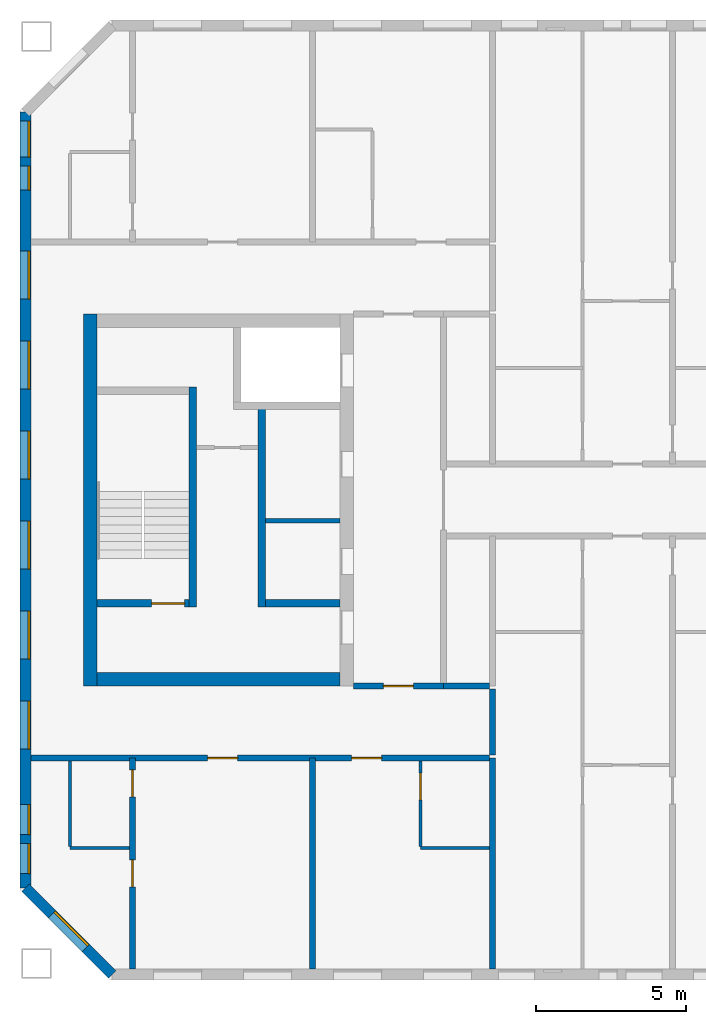
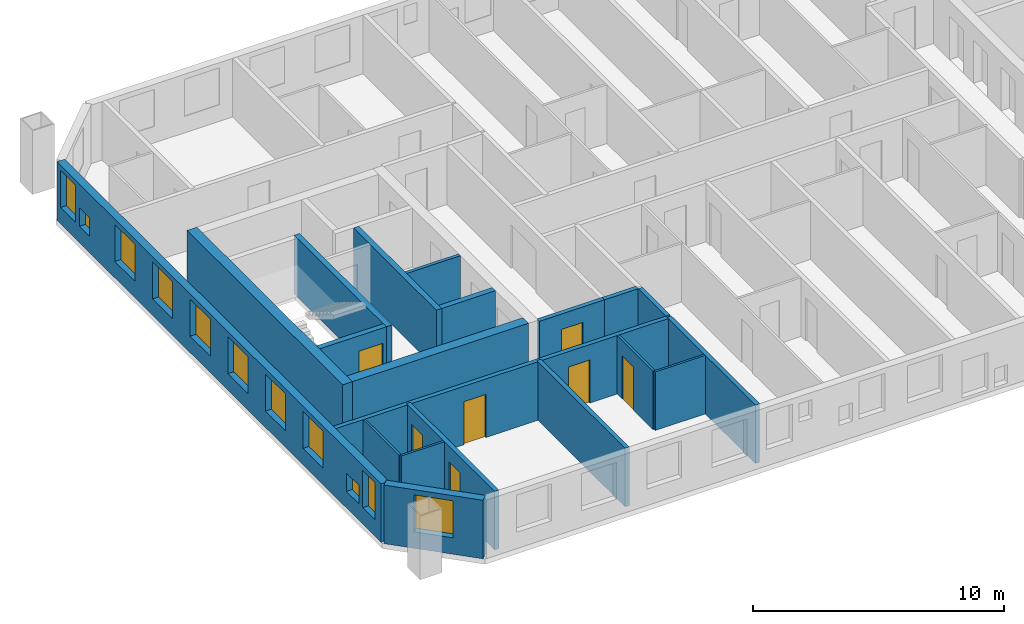
# One storey, part 2 of 15: 20 walls, 11 windows, 7 doors, 18 openings.
"""IFC4 building model written with IfcOpenShell, lengths in metres."""

from ifc_helpers import new_model, si_unit, direction, frame, frame_2d, origin, place, context, subcontext, project, spatial, rectangle, extrude, material, layer, layer_set, type_object, element, fill, save


model = new_model("IFC4")

# Units and contexts
model_context = context("Model", 3, precision=1e-05, world=origin(), true_north=direction((0.0, 1.0)))
body_context = subcontext(model_context, "Body", "Model", "MODEL_VIEW")
ifc_project = project(units=[si_unit("LENGTHUNIT", "METRE"), si_unit("AREAUNIT", "SQUARE_METRE"), si_unit("VOLUMEUNIT", "CUBIC_METRE"), si_unit("PLANEANGLEUNIT", "RADIAN"), si_unit("MASSUNIT", "GRAM", prefix="KILO")], contexts=[model_context])

# Site, building, storey
site_placement = place(None, origin())
site = spatial("IfcSite", under=ifc_project, at=site_placement, CompositionType="ELEMENT")
building_placement = place(site_placement, origin())
building = spatial("IfcBuilding", under=site, at=building_placement, Name="Tuart Gate Housing", CompositionType="ELEMENT")
storey_placement = place(building_placement, frame((0.0, 0.0, 188.199951171875)))
storey = spatial("IfcBuildingStorey", under=building, at=storey_placement, Name="L53", CompositionType="ELEMENT", Elevation=188.199951171875)

# Wall, opening, window
ifc_material_1 = material(Name="Brick", Category="masonry")
ifc_layer_1 = layer(ifc_material_1, 0.360107421875)
ifc_layer_set_1 = layer_set([ifc_layer_1], Name="Brick pier and spandrel wall 360")
wall_type_1 = type_object("IfcWallType", Name="Brick pier and spandrel wall 360", PredefinedType="STANDARD", material=ifc_layer_set_1)
wall_1_placement = place(storey_placement, frame((30.429931640625, 57.07470703125, 0.0), z_axis=(0.0, 0.0, 1.0), x_axis=(0.707106781187, -0.707106781187, 0.0)))
wall_1 = element("IfcWall", 1, at=wall_1_placement, inside=storey, type_object=wall_type_1, Name="External wall A-SW L53", PredefinedType="STANDARD", context=body_context, shape_type="SweptSolid", body=[
    extrude(rectangle(XDim=4.09375, YDim=0.360107421875, at=frame_2d((2.046875, 0.0))), origin(), (0.0, 0.0, 1.0), 2.85009765625),
])
opening_1_placement = place(wall_1_placement, frame((1.2470703125, 0.0, 0.800048828125)))
opening_1 = element("IfcOpeningElement", 2, at=opening_1_placement, cuts=wall_1, Name="Opening W1", PredefinedType="OPENING", context=body_context, shape_type="SweptSolid", body=[
    extrude(rectangle(XDim=1.60009765625, YDim=1.800048828125, at=frame_2d((0.800048828125, 0.89990234375))), frame((0.0, 0.18994140625, 0.0), z_axis=(0.0, -1.0, 0.0), x_axis=(1.0, 0.0, 0.0)), (0.0, 0.0, 1.0), 0.380126953125),
])
ifc_material_2 = material(Name="Aluminium frame with clear glass", Category="aluminium")
window_type_1 = type_object("IfcWindowType", Name="Punched window 1600 x 1800", PartitioningType="SINGLE_PANEL", PredefinedType="WINDOW", material=ifc_material_2)
window_1_placement = place(opening_1_placement, origin())
window_1 = element("IfcWindow", 3, at=window_1_placement, inside=storey, type_object=window_type_1, Name="Window W1", OverallHeight=1.800048828125, OverallWidth=1.60009765625, PartitioningType="SINGLE_PANEL", PredefinedType="WINDOW", context=body_context, shape_type="SweptSolid", body=[
    extrude(rectangle(XDim=1.60009765625, YDim=1.800048828125, at=frame_2d((0.800048828125, 0.89990234375))), frame((0.0, 0.150146484375, 0.0), z_axis=(0.0, -1.0, 0.0), x_axis=(1.0, 0.0, 0.0)), (0.0, 0.0, 1.0), 0.06005859375),
])
fill(opening_1, window_1)

# Wall, openings, windows
wall_2_placement = place(storey_placement, frame((30.429931640625, 82.92529296875, 0.0), z_axis=(0.0, 0.0, 1.0), x_axis=(0.0, -1.0, 0.0)))
wall_2 = element("IfcWall", 4, at=wall_2_placement, inside=storey, type_object=wall_type_1, Name="External wall A-W L53", PredefinedType="STANDARD", context=body_context, shape_type="SweptSolid", body=[
    extrude(rectangle(XDim=25.850830078125, YDim=0.360107421875, at=frame_2d((12.92529296875, 0.0))), origin(), (0.0, 0.0, 1.0), 2.85009765625),
])
opening_2_placement = place(wall_2_placement, frame((0.300048828125, 0.0, 0.800048828125)))
opening_2 = element("IfcOpeningElement", 5, at=opening_2_placement, cuts=wall_2, Name="Opening W1B", PredefinedType="OPENING", context=body_context, shape_type="SweptSolid", body=[
    extrude(rectangle(XDim=1.199951171875, YDim=1.800048828125, at=frame_2d((0.60009765625, 0.89990234375))), frame((0.0, 0.18994140625, 0.0), z_axis=(0.0, -1.0, 0.0), x_axis=(1.0, 0.0, 0.0)), (0.0, 0.0, 1.0), 0.380126953125),
])
opening_3_placement = place(wall_2_placement, frame((4.62548828125, 0.0, 0.800048828125)))
opening_3 = element("IfcOpeningElement", 6, at=opening_3_placement, cuts=wall_2, Name="Opening W1", PredefinedType="OPENING", context=body_context, shape_type="SweptSolid", body=[
    extrude(rectangle(XDim=1.60009765625, YDim=1.800048828125, at=frame_2d((0.800048828125, 0.89990234375))), frame((0.0, 0.18994140625, 0.0), z_axis=(0.0, -1.0, 0.0), x_axis=(1.0, 0.0, 0.0)), (0.0, 0.0, 1.0), 0.380126953125),
])
opening_4_placement = place(wall_2_placement, frame((7.62548828125, 0.0, 0.800048828125)))
opening_4 = element("IfcOpeningElement", 7, at=opening_4_placement, cuts=wall_2, Name="Opening W1", PredefinedType="OPENING", context=body_context, shape_type="SweptSolid", body=[
    extrude(rectangle(XDim=1.60009765625, YDim=1.800048828125, at=frame_2d((0.800048828125, 0.89990234375))), frame((0.0, 0.18994140625, 0.0), z_axis=(0.0, -1.0, 0.0), x_axis=(1.0, 0.0, 0.0)), (0.0, 0.0, 1.0), 0.380126953125),
])
opening_5_placement = place(wall_2_placement, frame((10.62548828125, 0.0, 0.800048828125)))
opening_5 = element("IfcOpeningElement", 8, at=opening_5_placement, cuts=wall_2, Name="Opening W1", PredefinedType="OPENING", context=body_context, shape_type="SweptSolid", body=[
    extrude(rectangle(XDim=1.60009765625, YDim=1.800048828125, at=frame_2d((0.800048828125, 0.89990234375))), frame((0.0, 0.18994140625, 0.0), z_axis=(0.0, -1.0, 0.0), x_axis=(1.0, 0.0, 0.0)), (0.0, 0.0, 1.0), 0.380126953125),
])
opening_6_placement = place(wall_2_placement, frame((13.62548828125, 0.0, 0.800048828125)))
opening_6 = element("IfcOpeningElement", 9, at=opening_6_placement, cuts=wall_2, Name="Opening W1", PredefinedType="OPENING", context=body_context, shape_type="SweptSolid", body=[
    extrude(rectangle(XDim=1.60009765625, YDim=1.800048828125, at=frame_2d((0.800048828125, 0.89990234375))), frame((0.0, 0.18994140625, 0.0), z_axis=(0.0, -1.0, 0.0), x_axis=(1.0, 0.0, 0.0)), (0.0, 0.0, 1.0), 0.380126953125),
])
opening_7_placement = place(wall_2_placement, frame((16.62548828125, 0.0, 0.800048828125)))
opening_7 = element("IfcOpeningElement", 10, at=opening_7_placement, cuts=wall_2, Name="Opening W1", PredefinedType="OPENING", context=body_context, shape_type="SweptSolid", body=[
    extrude(rectangle(XDim=1.60009765625, YDim=1.800048828125, at=frame_2d((0.800048828125, 0.89990234375))), frame((0.0, 0.18994140625, 0.0), z_axis=(0.0, -1.0, 0.0), x_axis=(1.0, 0.0, 0.0)), (0.0, 0.0, 1.0), 0.380126953125),
])
opening_8_placement = place(wall_2_placement, frame((19.62548828125, 0.0, 0.800048828125)))
opening_8 = element("IfcOpeningElement", 11, at=opening_8_placement, cuts=wall_2, Name="Opening W1", PredefinedType="OPENING", context=body_context, shape_type="SweptSolid", body=[
    extrude(rectangle(XDim=1.60009765625, YDim=1.800048828125, at=frame_2d((0.800048828125, 0.89990234375))), frame((0.0, 0.18994140625, 0.0), z_axis=(0.0, -1.0, 0.0), x_axis=(1.0, 0.0, 0.0)), (0.0, 0.0, 1.0), 0.380126953125),
])
opening_9_placement = place(wall_2_placement, frame((23.075439453125, 0.0, 0.800048828125)))
opening_9 = element("IfcOpeningElement", 12, at=opening_9_placement, cuts=wall_2, Name="Opening W1U", PredefinedType="OPENING", context=body_context, shape_type="SweptSolid", body=[
    extrude(rectangle(XDim=1.0, YDim=0.89990234375, at=frame_2d((0.5, 0.449951171875))), frame((0.0, 0.18994140625, 0.0), z_axis=(0.0, -1.0, 0.0), x_axis=(1.0, 0.0, 0.0)), (0.0, 0.0, 1.0), 0.380126953125),
])
opening_10_placement = place(wall_2_placement, frame((1.800048828125, 0.0, 0.800048828125)))
opening_10 = element("IfcOpeningElement", 13, at=opening_10_placement, cuts=wall_2, Name="Opening W1V", PredefinedType="OPENING", context=body_context, shape_type="SweptSolid", body=[
    extrude(rectangle(XDim=0.800048828125, YDim=0.89990234375, at=frame_2d((0.39990234375, 0.449951171875))), frame((0.0, 0.18994140625, 0.0), z_axis=(0.0, -1.0, 0.0), x_axis=(1.0, 0.0, 0.0)), (0.0, 0.0, 1.0), 0.380126953125),
])
opening_11_placement = place(wall_2_placement, frame((24.37548828125, 0.0, 0.800048828125)))
opening_11 = element("IfcOpeningElement", 14, at=opening_11_placement, cuts=wall_2, Name="Opening W1C", PredefinedType="OPENING", context=body_context, shape_type="SweptSolid", body=[
    extrude(rectangle(XDim=1.0, YDim=1.800048828125, at=frame_2d((0.5, 0.89990234375))), frame((0.0, 0.18994140625, 0.0), z_axis=(0.0, -1.0, 0.0), x_axis=(1.0, 0.0, 0.0)), (0.0, 0.0, 1.0), 0.380126953125),
])
ifc_material_3 = material(Name="Aluminium frame with clear glass", Category="aluminium")
window_type_2 = type_object("IfcWindowType", Name="Punched window 1000 x 1800", PartitioningType="SINGLE_PANEL", PredefinedType="WINDOW", material=ifc_material_3)
window_2_placement = place(opening_11_placement, origin())
window_2 = element("IfcWindow", 15, at=window_2_placement, inside=storey, type_object=window_type_2, Name="Window W1C", OverallHeight=1.800048828125, OverallWidth=1.0, PartitioningType="SINGLE_PANEL", PredefinedType="WINDOW", context=body_context, shape_type="SweptSolid", body=[
    extrude(rectangle(XDim=1.0, YDim=1.800048828125, at=frame_2d((0.5, 0.89990234375))), frame((0.0, 0.150146484375, 0.0), z_axis=(0.0, -1.0, 0.0), x_axis=(1.0, 0.0, 0.0)), (0.0, 0.0, 1.0), 0.06005859375),
])
fill(opening_11, window_2)
ifc_material_4 = material(Name="Aluminium frame with clear glass", Category="aluminium")
window_type_3 = type_object("IfcWindowType", Name="Punched window 1000 x 900", PartitioningType="SINGLE_PANEL", PredefinedType="WINDOW", material=ifc_material_4)
window_3_placement = place(opening_9_placement, origin())
window_3 = element("IfcWindow", 16, at=window_3_placement, inside=storey, type_object=window_type_3, Name="Window W1U", OverallHeight=0.89990234375, OverallWidth=1.0, PartitioningType="SINGLE_PANEL", PredefinedType="WINDOW", context=body_context, shape_type="SweptSolid", body=[
    extrude(rectangle(XDim=1.0, YDim=0.89990234375, at=frame_2d((0.5, 0.449951171875))), frame((0.0, 0.150146484375, 0.0), z_axis=(0.0, -1.0, 0.0), x_axis=(1.0, 0.0, 0.0)), (0.0, 0.0, 1.0), 0.06005859375),
])
fill(opening_9, window_3)
ifc_material_5 = material(Name="Aluminium frame with clear glass", Category="aluminium")
window_type_4 = type_object("IfcWindowType", Name="Punched window 1200 x 1800", PartitioningType="SINGLE_PANEL", PredefinedType="WINDOW", material=ifc_material_5)
window_4_placement = place(opening_2_placement, origin())
window_4 = element("IfcWindow", 17, at=window_4_placement, inside=storey, type_object=window_type_4, Name="Window W1B", OverallHeight=1.800048828125, OverallWidth=1.199951171875, PartitioningType="SINGLE_PANEL", PredefinedType="WINDOW", context=body_context, shape_type="SweptSolid", body=[
    extrude(rectangle(XDim=1.199951171875, YDim=1.800048828125, at=frame_2d((0.60009765625, 0.89990234375))), frame((0.0, 0.150146484375, 0.0), z_axis=(0.0, -1.0, 0.0), x_axis=(1.0, 0.0, 0.0)), (0.0, 0.0, 1.0), 0.06005859375),
])
fill(opening_2, window_4)
window_5_placement = place(opening_3_placement, origin())
window_5 = element("IfcWindow", 18, at=window_5_placement, inside=storey, type_object=window_type_1, Name="Window W1", OverallHeight=1.800048828125, OverallWidth=1.60009765625, PartitioningType="SINGLE_PANEL", PredefinedType="WINDOW", context=body_context, shape_type="SweptSolid", body=[
    extrude(rectangle(XDim=1.60009765625, YDim=1.800048828125, at=frame_2d((0.800048828125, 0.89990234375))), frame((0.0, 0.150146484375, 0.0), z_axis=(0.0, -1.0, 0.0), x_axis=(1.0, 0.0, 0.0)), (0.0, 0.0, 1.0), 0.06005859375),
])
fill(opening_3, window_5)
window_6_placement = place(opening_4_placement, origin())
window_6 = element("IfcWindow", 19, at=window_6_placement, inside=storey, type_object=window_type_1, Name="Window W1", OverallHeight=1.800048828125, OverallWidth=1.60009765625, PartitioningType="SINGLE_PANEL", PredefinedType="WINDOW", context=body_context, shape_type="SweptSolid", body=[
    extrude(rectangle(XDim=1.60009765625, YDim=1.800048828125, at=frame_2d((0.800048828125, 0.89990234375))), frame((0.0, 0.150146484375, 0.0), z_axis=(0.0, -1.0, 0.0), x_axis=(1.0, 0.0, 0.0)), (0.0, 0.0, 1.0), 0.06005859375),
])
fill(opening_4, window_6)
window_7_placement = place(opening_5_placement, origin())
window_7 = element("IfcWindow", 20, at=window_7_placement, inside=storey, type_object=window_type_1, Name="Window W1", OverallHeight=1.800048828125, OverallWidth=1.60009765625, PartitioningType="SINGLE_PANEL", PredefinedType="WINDOW", context=body_context, shape_type="SweptSolid", body=[
    extrude(rectangle(XDim=1.60009765625, YDim=1.800048828125, at=frame_2d((0.800048828125, 0.89990234375))), frame((0.0, 0.150146484375, 0.0), z_axis=(0.0, -1.0, 0.0), x_axis=(1.0, 0.0, 0.0)), (0.0, 0.0, 1.0), 0.06005859375),
])
fill(opening_5, window_7)
window_8_placement = place(opening_6_placement, origin())
window_8 = element("IfcWindow", 21, at=window_8_placement, inside=storey, type_object=window_type_1, Name="Window W1", OverallHeight=1.800048828125, OverallWidth=1.60009765625, PartitioningType="SINGLE_PANEL", PredefinedType="WINDOW", context=body_context, shape_type="SweptSolid", body=[
    extrude(rectangle(XDim=1.60009765625, YDim=1.800048828125, at=frame_2d((0.800048828125, 0.89990234375))), frame((0.0, 0.150146484375, 0.0), z_axis=(0.0, -1.0, 0.0), x_axis=(1.0, 0.0, 0.0)), (0.0, 0.0, 1.0), 0.06005859375),
])
fill(opening_6, window_8)
window_9_placement = place(opening_7_placement, origin())
window_9 = element("IfcWindow", 22, at=window_9_placement, inside=storey, type_object=window_type_1, Name="Window W1", OverallHeight=1.800048828125, OverallWidth=1.60009765625, PartitioningType="SINGLE_PANEL", PredefinedType="WINDOW", context=body_context, shape_type="SweptSolid", body=[
    extrude(rectangle(XDim=1.60009765625, YDim=1.800048828125, at=frame_2d((0.800048828125, 0.89990234375))), frame((0.0, 0.150146484375, 0.0), z_axis=(0.0, -1.0, 0.0), x_axis=(1.0, 0.0, 0.0)), (0.0, 0.0, 1.0), 0.06005859375),
])
fill(opening_7, window_9)
window_10_placement = place(opening_8_placement, origin())
window_10 = element("IfcWindow", 23, at=window_10_placement, inside=storey, type_object=window_type_1, Name="Window W1", OverallHeight=1.800048828125, OverallWidth=1.60009765625, PartitioningType="SINGLE_PANEL", PredefinedType="WINDOW", context=body_context, shape_type="SweptSolid", body=[
    extrude(rectangle(XDim=1.60009765625, YDim=1.800048828125, at=frame_2d((0.800048828125, 0.89990234375))), frame((0.0, 0.150146484375, 0.0), z_axis=(0.0, -1.0, 0.0), x_axis=(1.0, 0.0, 0.0)), (0.0, 0.0, 1.0), 0.06005859375),
])
fill(opening_8, window_10)
ifc_material_6 = material(Name="Aluminium frame with clear glass", Category="aluminium")
window_type_5 = type_object("IfcWindowType", Name="Punched window 800 x 900", PartitioningType="SINGLE_PANEL", PredefinedType="WINDOW", material=ifc_material_6)
window_11_placement = place(opening_10_placement, origin())
window_11 = element("IfcWindow", 24, at=window_11_placement, inside=storey, type_object=window_type_5, Name="Window W1V", OverallHeight=0.89990234375, OverallWidth=0.800048828125, PartitioningType="SINGLE_PANEL", PredefinedType="WINDOW", context=body_context, shape_type="SweptSolid", body=[
    extrude(rectangle(XDim=0.800048828125, YDim=0.89990234375, at=frame_2d((0.39990234375, 0.449951171875))), frame((0.0, 0.150146484375, 0.0), z_axis=(0.0, -1.0, 0.0), x_axis=(1.0, 0.0, 0.0)), (0.0, 0.0, 1.0), 0.06005859375),
])
fill(opening_10, window_11)

# Walls
ifc_material_7 = material(Name="Plasterboard partition")
ifc_layer_2 = layer(ifc_material_7, 0.14990234375)
ifc_layer_set_2 = layer_set([ifc_layer_2], Name="Core partition 150")
wall_type_2 = type_object("IfcWallType", Name="Core partition 150", PredefinedType="PARTITIONING", material=ifc_layer_set_2)
wall_3_placement = place(storey_placement, frame((40.909912109375, 69.300048828125, 0.0), z_axis=(0.0, 0.0, 1.0), x_axis=(-1.0, 0.0, 0.0)))
element("IfcWall", 25, at=wall_3_placement, inside=storey, type_object=wall_type_2, Name="Core partition AK.4", PredefinedType="PARTITIONING", context=body_context, shape_type="SweptSolid", body=[
    extrude(rectangle(XDim=2.474853515625, YDim=0.14990234375, at=frame_2d((1.2373046875, 0.0))), origin(), (0.0, 0.0, 1.0), 2.85009765625),
])
ifc_material_8 = material(Name="Concrete C40", Category="concrete")
ifc_layer_3 = layer(ifc_material_8, 0.25)
ifc_layer_set_3 = layer_set([ifc_layer_3], Name="Core wall 250 C40")
wall_type_3 = type_object("IfcWallType", Name="Core wall 250 C40", PredefinedType="SHEAR", material=ifc_layer_set_3)
wall_4_placement = place(storey_placement, frame((40.909912109375, 66.550048828125, 0.0), z_axis=(0.0, 0.0, 1.0), x_axis=(-1.0, 0.0, 0.0)))
element("IfcWall", 26, at=wall_4_placement, inside=storey, type_object=wall_type_3, Name="Core wall AK.5", PredefinedType="SHEAR", context=body_context, shape_type="SweptSolid", body=[
    extrude(rectangle(XDim=2.474853515625, YDim=0.25, at=frame_2d((1.2373046875, 0.0))), origin(), (0.0, 0.0, 1.0), 2.85009765625),
])

# Wall, opening, door
wall_5_placement = place(storey_placement, frame((35.885009765625, 66.550048828125, 0.0), z_axis=(0.0, 0.0, 1.0), x_axis=(-1.0, 0.0, 0.0)))
wall_5 = element("IfcWall", 27, at=wall_5_placement, inside=storey, type_object=wall_type_3, Name="Core wall AK.6", PredefinedType="SHEAR", context=body_context, shape_type="SweptSolid", body=[
    extrude(rectangle(XDim=3.074951171875, YDim=0.25, at=frame_2d((1.53759765625, 0.0))), origin(), (0.0, 0.0, 1.0), 2.85009765625),
])
opening_12_placement = place(wall_5_placement, frame((0.14990234375, 0.0, 0.0)))
opening_12 = element("IfcOpeningElement", 28, at=opening_12_placement, cuts=wall_5, Name="Opening D1875", PredefinedType="OPENING", context=body_context, shape_type="SweptSolid", body=[
    extrude(rectangle(XDim=1.10009765625, YDim=2.10009765625, at=frame_2d((0.550048828125, 1.050048828125))), frame((0.0, 0.135009765625, 0.0), z_axis=(0.0, -1.0, 0.0), x_axis=(1.0, 0.0, 0.0)), (0.0, 0.0, 1.0), 0.27001953125),
])
ifc_material_9 = material(Name="Steel fire door", Category="steel")
door_type_1 = type_object("IfcDoorType", Name="Stair door 1100 x 2100 RH", OperationType="SINGLE_SWING_RIGHT", PredefinedType="DOOR", material=ifc_material_9)
door_1_placement = place(opening_12_placement, frame((1.10009765625, 0.0, 0.0), z_axis=(0.0, 0.0, 1.0), x_axis=(-1.0, 0.0, 0.0)))
door_1 = element("IfcDoor", 29, at=door_1_placement, inside=storey, type_object=door_type_1, Name="Stair door AK.SD", OperationType="SINGLE_SWING_RIGHT", OverallHeight=2.10009765625, OverallWidth=1.10009765625, PredefinedType="DOOR", context=body_context, shape_type="SweptSolid", body=[
    extrude(rectangle(XDim=1.10009765625, YDim=2.10009765625, at=frame_2d((0.550048828125, 1.050048828125))), frame((0.0, 0.025146484375, 0.0), z_axis=(0.0, -1.0, 0.0), x_axis=(1.0, 0.0, 0.0)), (0.0, 0.0, 1.0), 0.050048828125),
])
fill(opening_12, door_1)

# Walls
wall_6_placement = place(storey_placement, frame((38.31005859375, 73.02490234375, 0.0), z_axis=(0.0, 0.0, 1.0), x_axis=(0.0, -1.0, 0.0)))
element("IfcWall", 30, at=wall_6_placement, inside=storey, type_object=wall_type_3, Name="Core wall AK.7", PredefinedType="SHEAR", context=body_context, shape_type="SweptSolid", body=[
    extrude(rectangle(XDim=6.599853515625, YDim=0.25, at=frame_2d((3.2998046875, 0.0))), origin(), (0.0, 0.0, 1.0), 2.85009765625),
])
wall_7_placement = place(storey_placement, frame((36.010009765625, 73.77490234375, 0.0), z_axis=(0.0, 0.0, 1.0), x_axis=(0.0, -1.0, 0.0)))
element("IfcWall", 31, at=wall_7_placement, inside=storey, type_object=wall_type_3, Name="Core wall AK.9", PredefinedType="SHEAR", context=body_context, shape_type="SweptSolid", body=[
    extrude(rectangle(XDim=7.349853515625, YDim=0.25, at=frame_2d((3.6748046875, 0.0))), origin(), (0.0, 0.0, 1.0), 2.85009765625),
])
ifc_material_10 = material(Name="Concrete C40", Category="concrete")
ifc_layer_4 = layer(ifc_material_10, 0.449951171875)
ifc_layer_set_4 = layer_set([ifc_layer_4], Name="Core wall 450 C40")
wall_type_4 = type_object("IfcWallType", Name="Core wall 450 C40", PredefinedType="SHEAR", material=ifc_layer_set_4)
wall_8_placement = place(storey_placement, frame((32.5849609375, 76.199951171875, 0.0), z_axis=(0.0, 0.0, 1.0), x_axis=(0.0, -1.0, 0.0)))
element("IfcWall", 32, at=wall_8_placement, inside=storey, type_object=wall_type_4, Name="Core wall AK back", PredefinedType="SHEAR", context=body_context, shape_type="SweptSolid", body=[
    extrude(rectangle(XDim=12.39990234375, YDim=0.449951171875, at=frame_2d((6.199951171875, 0.0))), origin(), (0.0, 0.0, 1.0), 2.85009765625),
])
wall_9_placement = place(storey_placement, frame((40.909912109375, 64.02490234375, 0.0), z_axis=(0.0, 0.0, 1.0), x_axis=(-1.0, 0.0, 0.0)))
element("IfcWall", 33, at=wall_9_placement, inside=storey, type_object=wall_type_4, Name="Core wall AK north", PredefinedType="SHEAR", context=body_context, shape_type="SweptSolid", body=[
    extrude(rectangle(XDim=8.099853515625, YDim=0.449951171875, at=frame_2d((4.0498046875, 0.0))), origin(), (0.0, 0.0, 1.0), 2.85009765625),
])

# Wall, openings, doors
ifc_material_11 = material(Name="Concrete masonry 15 MPa", Category="masonry")
ifc_layer_5 = layer(ifc_material_11, 0.199951171875)
ifc_layer_set_5 = layer_set([ifc_layer_5], Name="Corridor wall masonry 200")
wall_type_5 = type_object("IfcWallType", Name="Corridor wall masonry 200", PredefinedType="PARTITIONING", material=ifc_layer_set_5)
wall_10_placement = place(storey_placement, frame((30.610107421875, 61.39990234375, 0.0), z_axis=(0.0, 0.0, 1.0), x_axis=(1.0, 0.0, 0.0)))
wall_10 = element("IfcWall", 34, at=wall_10_placement, inside=storey, type_object=wall_type_5, Name="Corridor wall masonry 200", PredefinedType="PARTITIONING", context=body_context, shape_type="SweptSolid", body=[
    extrude(rectangle(XDim=15.289794921875, YDim=0.199951171875, at=frame_2d((7.64501953125, 0.0))), origin(), (0.0, 0.0, 1.0), 2.85009765625),
])
opening_13_placement = place(wall_10_placement, frame((10.68994140625, 0.0, 0.0)))
opening_13 = element("IfcOpeningElement", 35, at=opening_13_placement, cuts=wall_10, Name="Opening D1886", PredefinedType="OPENING", context=body_context, shape_type="SweptSolid", body=[
    extrude(rectangle(XDim=1.0, YDim=2.10009765625, at=frame_2d((0.5, 1.050048828125))), frame((0.0, 0.10986328125, 0.0), z_axis=(0.0, -1.0, 0.0), x_axis=(1.0, 0.0, 0.0)), (0.0, 0.0, 1.0), 0.219970703125),
])
opening_14_placement = place(wall_10_placement, frame((5.889892578125, 0.0, 0.0)))
opening_14 = element("IfcOpeningElement", 36, at=opening_14_placement, cuts=wall_10, Name="Opening D1887", PredefinedType="OPENING", context=body_context, shape_type="SweptSolid", body=[
    extrude(rectangle(XDim=1.0, YDim=2.10009765625, at=frame_2d((0.5, 1.050048828125))), frame((0.0, 0.10986328125, 0.0), z_axis=(0.0, -1.0, 0.0), x_axis=(1.0, 0.0, 0.0)), (0.0, 0.0, 1.0), 0.219970703125),
])
ifc_material_12 = material(Name="Timber door leaf in steel frame", Category="steel")
door_type_2 = type_object("IfcDoorType", Name="Flat entrance door 1000 RH", OperationType="SINGLE_SWING_RIGHT", PredefinedType="DOOR", material=ifc_material_12)
door_2_placement = place(opening_13_placement, frame((1.0, 0.0, 0.0), z_axis=(0.0, 0.0, 1.0), x_axis=(-1.0, 0.0, 0.0)))
door_2 = element("IfcDoor", 37, at=door_2_placement, inside=storey, type_object=door_type_2, Name="Flat entrance door", OperationType="SINGLE_SWING_RIGHT", OverallHeight=2.10009765625, OverallWidth=1.0, PredefinedType="DOOR", context=body_context, shape_type="SweptSolid", body=[
    extrude(rectangle(XDim=1.0, YDim=2.10009765625, at=frame_2d((0.5, 1.050048828125))), frame((0.0, 0.025146484375, 0.0), z_axis=(0.0, -1.0, 0.0), x_axis=(1.0, 0.0, 0.0)), (0.0, 0.0, 1.0), 0.050048828125),
])
fill(opening_13, door_2)
door_3_placement = place(opening_14_placement, frame((1.0, 0.0, 0.0), z_axis=(0.0, 0.0, 1.0), x_axis=(-1.0, 0.0, 0.0)))
door_3 = element("IfcDoor", 38, at=door_3_placement, inside=storey, type_object=door_type_2, Name="Flat entrance door", OperationType="SINGLE_SWING_RIGHT", OverallHeight=2.10009765625, OverallWidth=1.0, PredefinedType="DOOR", context=body_context, shape_type="SweptSolid", body=[
    extrude(rectangle(XDim=1.0, YDim=2.10009765625, at=frame_2d((0.5, 1.050048828125))), frame((0.0, 0.025146484375, 0.0), z_axis=(0.0, -1.0, 0.0), x_axis=(1.0, 0.0, 0.0)), (0.0, 0.0, 1.0), 0.050048828125),
])
fill(opening_14, door_3)

# Walls
wall_11_placement = place(storey_placement, frame((44.360107421875, 63.800048828125, 0.0), z_axis=(0.0, 0.0, 1.0), x_axis=(1.0, 0.0, 0.0)))
element("IfcWall", 39, at=wall_11_placement, inside=storey, type_object=wall_type_5, Name="Corridor wall masonry 200", PredefinedType="PARTITIONING", context=body_context, shape_type="SweptSolid", body=[
    extrude(rectangle(XDim=1.539794921875, YDim=0.199951171875, at=frame_2d((0.77001953125, 0.0))), origin(), (0.0, 0.0, 1.0), 2.85009765625),
])
wall_12_placement = place(storey_placement, frame((46.0, 61.5, 0.0), z_axis=(0.0, 0.0, 1.0), x_axis=(0.0, 1.0, 0.0)))
element("IfcWall", 40, at=wall_12_placement, inside=storey, type_object=wall_type_5, Name="Corridor wall masonry 200", PredefinedType="PARTITIONING", context=body_context, shape_type="SweptSolid", body=[
    extrude(rectangle(XDim=2.199951171875, YDim=0.199951171875, at=frame_2d((1.10009765625, 0.0))), origin(), (0.0, 0.0, 1.0), 2.85009765625),
])

# Wall, opening, door
ifc_material_13 = material(Name="Concrete masonry 15 MPa", Category="masonry")
ifc_layer_6 = layer(ifc_material_13, 0.199951171875)
ifc_layer_set_6 = layer_set([ifc_layer_6], Name="Enclosure wall masonry 200")
wall_type_6 = type_object("IfcWallType", Name="Enclosure wall masonry 200", PredefinedType="PARTITIONING", material=ifc_layer_set_6)
wall_13_placement = place(storey_placement, frame((41.360107421875, 63.800048828125, 0.0), z_axis=(0.0, 0.0, 1.0), x_axis=(1.0, 0.0, 0.0)))
wall_13 = element("IfcWall", 41, at=wall_13_placement, inside=storey, type_object=wall_type_6, Name="Enclosure wall masonry 200", PredefinedType="PARTITIONING", context=body_context, shape_type="SweptSolid", body=[
    extrude(rectangle(XDim=3.0, YDim=0.199951171875, at=frame_2d((1.5, 0.0))), origin(), (0.0, 0.0, 1.0), 2.85009765625),
])
opening_15_placement = place(wall_13_placement, frame((1.0, 0.0, 0.0)))
opening_15 = element("IfcOpeningElement", 42, at=opening_15_placement, cuts=wall_13, Name="Opening D1876", PredefinedType="OPENING", context=body_context, shape_type="SweptSolid", body=[
    extrude(rectangle(XDim=1.0, YDim=2.10009765625, at=frame_2d((0.5, 1.050048828125))), frame((0.0, 0.10986328125, 0.0), z_axis=(0.0, -1.0, 0.0), x_axis=(1.0, 0.0, 0.0)), (0.0, 0.0, 1.0), 0.219970703125),
])
ifc_material_14 = material(Name="Timber door leaf in steel frame", Category="steel")
door_type_3 = type_object("IfcDoorType", Name="Fire door 1000", OperationType="SINGLE_SWING_LEFT", PredefinedType="DOOR", material=ifc_material_14)
door_4_placement = place(opening_15_placement, frame((1.0, 0.0, 0.0), z_axis=(0.0, 0.0, 1.0), x_axis=(-1.0, 0.0, 0.0)))
door_4 = element("IfcDoor", 43, at=door_4_placement, inside=storey, type_object=door_type_3, Name="Fire door", OperationType="SINGLE_SWING_LEFT", OverallHeight=2.10009765625, OverallWidth=1.0, PredefinedType="DOOR", context=body_context, shape_type="SweptSolid", body=[
    extrude(rectangle(XDim=1.0, YDim=2.10009765625, at=frame_2d((0.5, 1.050048828125))), frame((0.0, 0.025146484375, 0.0), z_axis=(0.0, -1.0, 0.0), x_axis=(1.0, 0.0, 0.0)), (0.0, 0.0, 1.0), 0.050048828125),
])
fill(opening_15, door_4)

# Walls
ifc_material_15 = material(Name="Gypsum board on steel studs", Category="steel")
ifc_layer_7 = layer(ifc_material_15, 0.10009765625)
ifc_layer_set_7 = layer_set([ifc_layer_7], Name="Partition 100")
wall_type_7 = type_object("IfcWallType", Name="Partition 100", PredefinedType="PARTITIONING", material=ifc_layer_set_7)
wall_14_placement = place(storey_placement, frame((31.909912109375, 58.39990234375, 0.0), z_axis=(0.0, 0.0, 1.0), x_axis=(1.0, 0.0, 0.0)))
element("IfcWall", 44, at=wall_14_placement, inside=storey, type_object=wall_type_7, Name="Partition 100", PredefinedType="PARTITIONING", context=body_context, shape_type="SweptSolid", body=[
    extrude(rectangle(XDim=1.989990234375, YDim=0.10009765625, at=frame_2d((0.9951171875, 0.0))), origin(), (0.0, 0.0, 1.0), 2.85009765625),
])
wall_15_placement = place(storey_placement, frame((43.60009765625, 58.39990234375, 0.0), z_axis=(0.0, 0.0, 1.0), x_axis=(1.0, 0.0, 0.0)))
element("IfcWall", 45, at=wall_15_placement, inside=storey, type_object=wall_type_7, Name="Partition 100", PredefinedType="PARTITIONING", context=body_context, shape_type="SweptSolid", body=[
    extrude(rectangle(XDim=2.2998046875, YDim=0.10009765625, at=frame_2d((1.14990234375, 0.0))), origin(), (0.0, 0.0, 1.0), 2.85009765625),
])
wall_16_placement = place(storey_placement, frame((31.909912109375, 58.449951171875, 0.0), z_axis=(0.0, 0.0, 1.0), x_axis=(0.0, 1.0, 0.0)))
element("IfcWall", 46, at=wall_16_placement, inside=storey, type_object=wall_type_7, Name="Partition 100", PredefinedType="PARTITIONING", context=body_context, shape_type="SweptSolid", body=[
    extrude(rectangle(XDim=2.85009765625, YDim=0.10009765625, at=frame_2d((1.425048828125, 0.0))), origin(), (0.0, 0.0, 1.0), 2.85009765625),
])

# Wall, opening, door
wall_17_placement = place(storey_placement, frame((43.60009765625, 58.449951171875, 0.0), z_axis=(0.0, 0.0, 1.0), x_axis=(0.0, 1.0, 0.0)))
wall_17 = element("IfcWall", 47, at=wall_17_placement, inside=storey, type_object=wall_type_7, Name="Partition 100", PredefinedType="PARTITIONING", context=body_context, shape_type="SweptSolid", body=[
    extrude(rectangle(XDim=2.85009765625, YDim=0.10009765625, at=frame_2d((1.425048828125, 0.0))), origin(), (0.0, 0.0, 1.0), 2.85009765625),
])
opening_16_placement = place(wall_17_placement, frame((1.550048828125, 0.0, 0.0)))
opening_16 = element("IfcOpeningElement", 48, at=opening_16_placement, cuts=wall_17, Name="Opening D1892", PredefinedType="OPENING", context=body_context, shape_type="SweptSolid", body=[
    extrude(rectangle(XDim=0.89990234375, YDim=2.10009765625, at=frame_2d((0.449951171875, 1.050048828125))), frame((0.0, 0.06005859375, 0.0), z_axis=(0.0, -1.0, 0.0), x_axis=(1.0, 0.0, 0.0)), (0.0, 0.0, 1.0), 0.1201171875),
])
ifc_material_16 = material(Name="Timber door leaf in steel frame", Category="steel")
door_type_4 = type_object("IfcDoorType", Name="Bathroom door 900", OperationType="SINGLE_SWING_LEFT", PredefinedType="DOOR", material=ifc_material_16)
door_5_placement = place(opening_16_placement, frame((0.89990234375, 0.0, 0.0), z_axis=(0.0, 0.0, 1.0), x_axis=(-1.0, 0.0, 0.0)))
door_5 = element("IfcDoor", 49, at=door_5_placement, inside=storey, type_object=door_type_4, Name="Bathroom door", OperationType="SINGLE_SWING_LEFT", OverallHeight=2.10009765625, OverallWidth=0.89990234375, PredefinedType="DOOR", context=body_context, shape_type="SweptSolid", body=[
    extrude(rectangle(XDim=0.89990234375, YDim=2.10009765625, at=frame_2d((0.449951171875, 1.050048828125))), frame((0.0, 0.025146484375, 0.0), z_axis=(0.0, -1.0, 0.0), x_axis=(1.0, 0.0, 0.0)), (0.0, 0.0, 1.0), 0.050048828125),
])
fill(opening_16, door_5)

# Wall, openings, doors
ifc_material_17 = material(Name="Concrete C40", Category="concrete")
ifc_layer_8 = layer(ifc_material_17, 0.199951171875)
ifc_layer_set_8 = layer_set([ifc_layer_8], Name="Party wall concrete C40 200")
wall_type_8 = type_object("IfcWallType", Name="Party wall concrete C40 200", PredefinedType="SOLIDWALL", material=ifc_layer_set_8)
wall_18_placement = place(storey_placement, frame((34.0, 54.360107421875, 0.0), z_axis=(0.0, 0.0, 1.0), x_axis=(0.0, 1.0, 0.0)))
wall_18 = element("IfcWall", 50, at=wall_18_placement, inside=storey, type_object=wall_type_8, Name="Party wall concrete C40 200", PredefinedType="SOLIDWALL", context=body_context, shape_type="SweptSolid", body=[
    extrude(rectangle(XDim=7.039794921875, YDim=0.199951171875, at=frame_2d((3.52001953125, 0.0))), origin(), (0.0, 0.0, 1.0), 2.85009765625),
])
opening_17_placement = place(wall_18_placement, frame((2.739990234375, 0.0, 0.0)))
opening_17 = element("IfcOpeningElement", 51, at=opening_17_placement, cuts=wall_18, Name="Opening D1896", PredefinedType="OPENING", context=body_context, shape_type="SweptSolid", body=[
    extrude(rectangle(XDim=0.89990234375, YDim=2.10009765625, at=frame_2d((0.449951171875, 1.050048828125))), frame((0.0, 0.10986328125, 0.0), z_axis=(0.0, -1.0, 0.0), x_axis=(1.0, 0.0, 0.0)), (0.0, 0.0, 1.0), 0.219970703125),
])
opening_18_placement = place(wall_18_placement, frame((5.739990234375, 0.0, 0.0)))
opening_18 = element("IfcOpeningElement", 52, at=opening_18_placement, cuts=wall_18, Name="Opening D1895", PredefinedType="OPENING", context=body_context, shape_type="SweptSolid", body=[
    extrude(rectangle(XDim=0.89990234375, YDim=2.10009765625, at=frame_2d((0.449951171875, 1.050048828125))), frame((0.0, 0.10986328125, 0.0), z_axis=(0.0, -1.0, 0.0), x_axis=(1.0, 0.0, 0.0)), (0.0, 0.0, 1.0), 0.219970703125),
])
ifc_material_18 = material(Name="Timber door leaf in steel frame", Category="steel")
door_type_5 = type_object("IfcDoorType", Name="Bathroom door 900 RH", OperationType="SINGLE_SWING_RIGHT", PredefinedType="DOOR", material=ifc_material_18)
door_6_placement = place(opening_18_placement, origin())
door_6 = element("IfcDoor", 53, at=door_6_placement, inside=storey, type_object=door_type_5, Name="Bathroom door", OperationType="SINGLE_SWING_RIGHT", OverallHeight=2.10009765625, OverallWidth=0.89990234375, PredefinedType="DOOR", context=body_context, shape_type="SweptSolid", body=[
    extrude(rectangle(XDim=0.89990234375, YDim=2.10009765625, at=frame_2d((0.449951171875, 1.050048828125))), frame((0.0, 0.02490234375, 0.0), z_axis=(0.0, -1.0, 0.0), x_axis=(1.0, 0.0, 0.0)), (0.0, 0.0, 1.0), 0.050048828125),
])
fill(opening_18, door_6)
ifc_material_19 = material(Name="Timber door leaf in steel frame", Category="steel")
door_type_6 = type_object("IfcDoorType", Name="Internal door 900 RH", OperationType="SINGLE_SWING_RIGHT", PredefinedType="DOOR", material=ifc_material_19)
door_7_placement = place(opening_17_placement, origin())
door_7 = element("IfcDoor", 54, at=door_7_placement, inside=storey, type_object=door_type_6, Name="Internal door", OperationType="SINGLE_SWING_RIGHT", OverallHeight=2.10009765625, OverallWidth=0.89990234375, PredefinedType="DOOR", context=body_context, shape_type="SweptSolid", body=[
    extrude(rectangle(XDim=0.89990234375, YDim=2.10009765625, at=frame_2d((0.449951171875, 1.050048828125))), frame((0.0, 0.02490234375, 0.0), z_axis=(0.0, -1.0, 0.0), x_axis=(1.0, 0.0, 0.0)), (0.0, 0.0, 1.0), 0.050048828125),
])
fill(opening_17, door_7)

# Walls
for number, where, z_axis, x_axis, name in (
    (55, (40.0, 54.360107421875, 0.0), (0.0, 0.0, 1.0), (0.0, 1.0, 0.0), "Party wall concrete C40 200"),
    (56, (46.0, 54.360107421875, 0.0), (0.0, 0.0, 1.0), (0.0, 1.0, 0.0), "Party wall concrete C40 200"),
):
    element("IfcWall", number, at=place(storey_placement, frame(where, z_axis=z_axis, x_axis=x_axis)), inside=storey, type_object=wall_type_8, Name=name, PredefinedType="SOLIDWALL", context=body_context, shape_type="SweptSolid", body=[
        extrude(rectangle(XDim=7.039794921875, YDim=0.199951171875, at=frame_2d((3.52001953125, 0.0))), origin(), (0.0, 0.0, 1.0), 2.85009765625),
    ])

save(model, "model.ifc")
